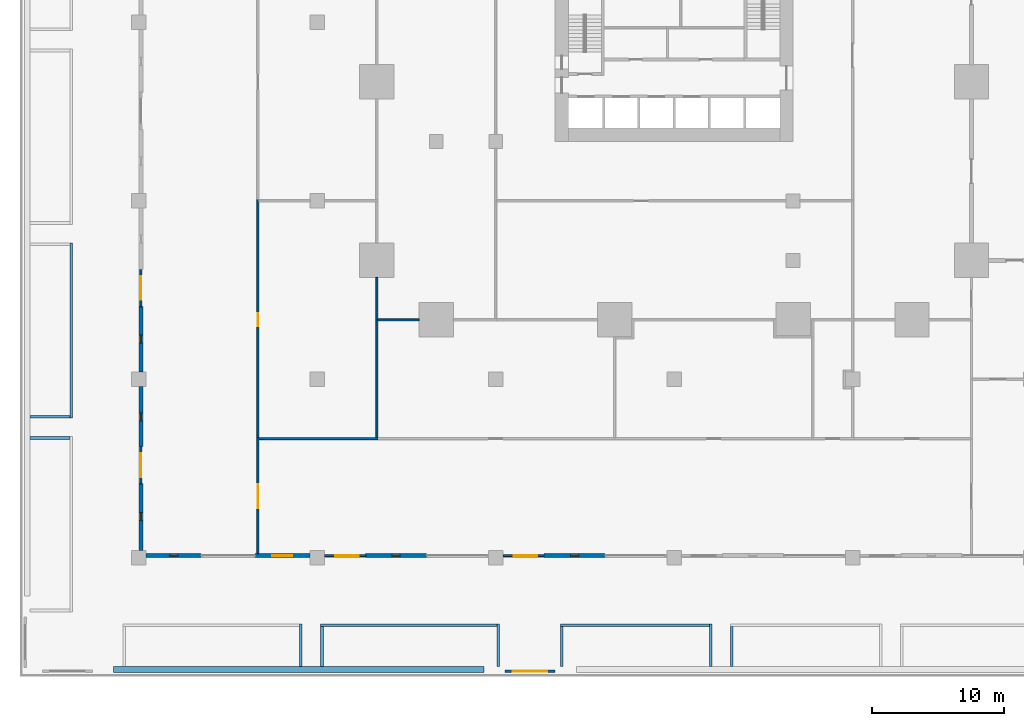
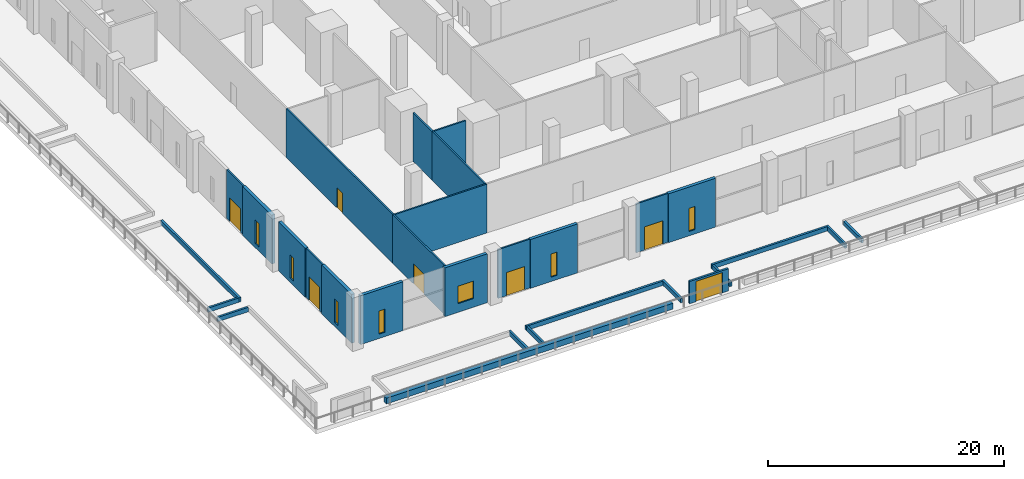
# One storey, part 20 of 47: 30 walls, 7 doors, 7 windows, 14 openings.
"""IFC4 building model written with IfcOpenShell, lengths in metres."""

from ifc_helpers import new_model, si_unit, direction, frame, frame_2d, origin, place, context, subcontext, project, spatial, rectangle, extrude, material, layer, layer_set, type_object, element, fill, save


model = new_model("IFC4")

# Units and contexts
model_context = context("Model", 3, precision=1e-05, world=origin(), true_north=direction((0.0, 1.0)))
body_context = subcontext(model_context, "Body", "Model", "MODEL_VIEW")
ifc_project = project(units=[si_unit("LENGTHUNIT", "METRE"), si_unit("AREAUNIT", "SQUARE_METRE"), si_unit("VOLUMEUNIT", "CUBIC_METRE"), si_unit("PLANEANGLEUNIT", "RADIAN"), si_unit("MASSUNIT", "GRAM", prefix="KILO")], contexts=[model_context])

# Site, building, storey
site_placement = place(None, origin())
site = spatial("IfcSite", under=ifc_project, at=site_placement, CompositionType="ELEMENT")
building_placement = place(site_placement, origin())
building = spatial("IfcBuilding", under=site, at=building_placement, Name="Altepetl Exchange Towers", CompositionType="ELEMENT")
storey_placement = place(building_placement, frame((0.0, 0.0, 6.0)))
storey = spatial("IfcBuildingStorey", under=building, at=storey_placement, Name="L01 Retail podium", CompositionType="ELEMENT", Elevation=6.0)

# Wall, opening, door
ifc_material_1 = material(Name="Reinforced concrete C35/45", Category="concrete")
ifc_layer_1 = layer(ifc_material_1, 0.199951171875)
ifc_layer_set_1 = layer_set([ifc_layer_1], Name="Reinforced concrete C35/45")
wall_type_1 = type_object("IfcWallType", Name="Garden gate screen wall 200", PredefinedType="SOLIDWALL", material=ifc_layer_set_1)
wall_1_placement = place(storey_placement, frame((36.699951171875, 0.39990234375, 0.0)))
wall_1 = element("IfcWall", 1, at=wall_1_placement, inside=storey, type_object=wall_type_1, Name="wall:P:L01:gateG2", PredefinedType="SOLIDWALL", context=body_context, shape_type="SweptSolid", body=[
    extrude(rectangle(XDim=3.800048828125, YDim=0.199951171875, at=frame_2d((1.89990234375, 0.0))), origin(), (0.0, 0.0, 1.0), 2.300048828125),
])
opening_1_placement = place(wall_1_placement, frame((0.60009765625, 0.0, 0.0)))
opening_1 = element("IfcOpeningElement", 2, at=opening_1_placement, cuts=wall_1, Name="Opening L01.P057", PredefinedType="OPENING", context=body_context, shape_type="SweptSolid", body=[
    extrude(rectangle(XDim=2.60009765625, YDim=2.10009765625, at=frame_2d((1.300048828125, 1.050048828125))), frame((0.0, 0.10986328125, 0.0), z_axis=(0.0, -1.0, 0.0), x_axis=(1.0, 0.0, 0.0)), (0.0, 0.0, 1.0), 0.219970703125),
])
ifc_material_2 = material(Name="Painted steel bars and timber", Category="steel")
door_type_1 = type_object("IfcDoorType", Name="Garden gate 2600 x 2100 double leaf", OperationType="DOUBLE_DOOR_SINGLE_SWING", PredefinedType="GATE", material=ifc_material_2)
door_1_placement = place(opening_1_placement, frame((2.60009765625, 0.0, 0.0), x_axis=(-1.0, 0.0, 0.0)))
door_1 = element("IfcDoor", 3, at=door_1_placement, inside=storey, type_object=door_type_1, Name="door:P:L01:057", OperationType="DOUBLE_DOOR_SINGLE_SWING", OverallHeight=2.10009765625, OverallWidth=2.60009765625, PredefinedType="GATE", context=body_context, shape_type="SweptSolid", body=[
    extrude(rectangle(XDim=2.60009765625, YDim=2.10009765625, at=frame_2d((1.300048828125, 1.050048828125))), frame((0.0, 0.02490234375, 0.0), z_axis=(0.0, -1.0, 0.0), x_axis=(1.0, 0.0, 0.0)), (0.0, 0.0, 1.0), 0.050048828125),
])
fill(opening_1, door_1)

ifc_material_3 = material(Name="Aluminium composite cladding", Category="aluminium")
ifc_layer_2 = layer(ifc_material_3, 0.14990234375)
ifc_layer_set_2 = layer_set([ifc_layer_2], Name="Aluminium composite cladding")
wall_type_2 = type_object("IfcWallType", Name="Infill wall 150 aluminium panel", PredefinedType="SOLIDWALL", material=ifc_layer_set_2)
wall_2_placement = place(storey_placement, frame((23.050048828125, 9.14990234375, 0.0)))
wall_2 = element("IfcWall", 4, at=wall_2_placement, inside=storey, type_object=wall_type_2, Name="Door bay wall", PredefinedType="SOLIDWALL", context=body_context, shape_type="SweptSolid", body=[
    extrude(rectangle(XDim=3.099853515625, YDim=0.14990234375, at=frame_2d((1.5498046875, 0.0))), origin(), (0.0, 0.0, 1.0), 5.050048828125),
])
opening_2_placement = place(wall_2_placement, frame((0.800048828125, 0.0, 0.0)))
opening_2 = element("IfcOpeningElement", 5, at=opening_2_placement, cuts=wall_2, Name="Opening L01.E11", PredefinedType="OPENING", context=body_context, shape_type="SweptSolid", body=[
    extrude(rectangle(XDim=1.800048828125, YDim=2.39990234375, at=frame_2d((0.89990234375, 1.199951171875))), frame((0.0, 0.0849609375, 0.0), z_axis=(0.0, -1.0, 0.0), x_axis=(1.0, 0.0, 0.0)), (0.0, 0.0, 1.0), 0.169921875),
])
ifc_material_4 = material(Name="Aluminium 6063-T6 and glass", Category="aluminium")
door_type_2 = type_object("IfcDoorType", Name="Glazed door pair 1800x2400", OperationType="DOUBLE_DOOR_DOUBLE_SWING", PredefinedType="NOTDEFINED", material=ifc_material_4)
door_2_placement = place(opening_2_placement, frame((1.800048828125, 0.0, 0.0), x_axis=(-1.0, 0.0, 0.0)))
door_2 = element("IfcDoor", 6, at=door_2_placement, inside=storey, type_object=door_type_2, Name="Terrace door", OperationType="DOUBLE_DOOR_DOUBLE_SWING", OverallHeight=2.39990234375, OverallWidth=1.800048828125, PredefinedType="NOTDEFINED", context=body_context, shape_type="SweptSolid", body=[
    extrude(rectangle(XDim=1.800048828125, YDim=2.39990234375, at=frame_2d((0.89990234375, 1.199951171875))), frame((0.0, 0.02490234375, 0.0), z_axis=(0.0, -1.0, 0.0), x_axis=(1.0, 0.0, 0.0)), (0.0, 0.0, 1.0), 0.050048828125),
])
fill(opening_2, door_2)

wall_3_placement = place(storey_placement, frame((36.550048828125, 9.14990234375, 0.0)))
wall_3 = element("IfcWall", 7, at=wall_3_placement, inside=storey, type_object=wall_type_2, Name="Door bay wall", PredefinedType="SOLIDWALL", context=body_context, shape_type="SweptSolid", body=[
    extrude(rectangle(XDim=3.099853515625, YDim=0.14990234375, at=frame_2d((1.5498046875, 0.0))), origin(), (0.0, 0.0, 1.0), 5.050048828125),
])
opening_3_placement = place(wall_3_placement, frame((0.800048828125, 0.0, 0.0)))
opening_3 = element("IfcOpeningElement", 8, at=opening_3_placement, cuts=wall_3, Name="Opening L01.E12", PredefinedType="OPENING", context=body_context, shape_type="SweptSolid", body=[
    extrude(rectangle(XDim=1.800048828125, YDim=2.39990234375, at=frame_2d((0.89990234375, 1.199951171875))), frame((0.0, 0.0849609375, 0.0), z_axis=(0.0, -1.0, 0.0), x_axis=(1.0, 0.0, 0.0)), (0.0, 0.0, 1.0), 0.169921875),
])
door_3_placement = place(opening_3_placement, frame((1.800048828125, 0.0, 0.0), x_axis=(-1.0, 0.0, 0.0)))
door_3 = element("IfcDoor", 9, at=door_3_placement, inside=storey, type_object=door_type_2, Name="Terrace door", OperationType="DOUBLE_DOOR_DOUBLE_SWING", OverallHeight=2.39990234375, OverallWidth=1.800048828125, PredefinedType="NOTDEFINED", context=body_context, shape_type="SweptSolid", body=[
    extrude(rectangle(XDim=1.800048828125, YDim=2.39990234375, at=frame_2d((0.89990234375, 1.199951171875))), frame((0.0, 0.02490234375, 0.0), z_axis=(0.0, -1.0, 0.0), x_axis=(1.0, 0.0, 0.0)), (0.0, 0.0, 1.0), 0.050048828125),
])
fill(opening_3, door_3)

wall_4_placement = place(storey_placement, frame((9.14990234375, 30.800048828125, 0.0), z_axis=(0.0, 0.0, 1.0), x_axis=(0.0, -1.0, 0.0)))
wall_4 = element("IfcWall", 10, at=wall_4_placement, inside=storey, type_object=wall_type_2, Name="Door bay wall", PredefinedType="SOLIDWALL", context=body_context, shape_type="SweptSolid", body=[
    extrude(rectangle(XDim=2.800048828125, YDim=0.14990234375, at=frame_2d((1.39990234375, 0.0))), origin(), (0.0, 0.0, 1.0), 5.050048828125),
])
opening_4_placement = place(wall_4_placement, frame((0.5, 0.0, 0.0)))
opening_4 = element("IfcOpeningElement", 11, at=opening_4_placement, cuts=wall_4, Name="Opening L01.E06", PredefinedType="OPENING", context=body_context, shape_type="SweptSolid", body=[
    extrude(rectangle(XDim=1.800048828125, YDim=2.39990234375, at=frame_2d((0.89990234375, 1.199951171875))), frame((0.0, 0.0849609375, 0.0), z_axis=(0.0, -1.0, 0.0), x_axis=(1.0, 0.0, 0.0)), (0.0, 0.0, 1.0), 0.169921875),
])
door_4_placement = place(opening_4_placement, frame((1.800048828125, 0.0, 0.0), x_axis=(-1.0, 0.0, 0.0)))
door_4 = element("IfcDoor", 12, at=door_4_placement, inside=storey, type_object=door_type_2, Name="Terrace door", OperationType="DOUBLE_DOOR_DOUBLE_SWING", OverallHeight=2.39990234375, OverallWidth=1.800048828125, PredefinedType="NOTDEFINED", context=body_context, shape_type="SweptSolid", body=[
    extrude(rectangle(XDim=1.800048828125, YDim=2.39990234375, at=frame_2d((0.89990234375, 1.199951171875))), frame((0.0, 0.02490234375, 0.0), z_axis=(0.0, -1.0, 0.0), x_axis=(1.0, 0.0, 0.0)), (0.0, 0.0, 1.0), 0.050048828125),
])
fill(opening_4, door_4)

wall_5_placement = place(storey_placement, frame((9.14990234375, 17.39990234375, 0.0), z_axis=(0.0, 0.0, 1.0), x_axis=(0.0, -1.0, 0.0)))
wall_5 = element("IfcWall", 13, at=wall_5_placement, inside=storey, type_object=wall_type_2, Name="Door bay wall", PredefinedType="SOLIDWALL", context=body_context, shape_type="SweptSolid", body=[
    extrude(rectangle(XDim=2.7998046875, YDim=0.14990234375, at=frame_2d((1.39990234375, 0.0))), origin(), (0.0, 0.0, 1.0), 5.050048828125),
])
opening_5_placement = place(wall_5_placement, frame((0.5, 0.0, 0.0)))
opening_5 = element("IfcOpeningElement", 14, at=opening_5_placement, cuts=wall_5, Name="Opening L01.E05", PredefinedType="OPENING", context=body_context, shape_type="SweptSolid", body=[
    extrude(rectangle(XDim=1.800048828125, YDim=2.39990234375, at=frame_2d((0.89990234375, 1.199951171875))), frame((0.0, 0.0849609375, 0.0), z_axis=(0.0, -1.0, 0.0), x_axis=(1.0, 0.0, 0.0)), (0.0, 0.0, 1.0), 0.169921875),
])
door_5_placement = place(opening_5_placement, frame((1.800048828125, 0.0, 0.0), x_axis=(-1.0, 0.0, 0.0)))
door_5 = element("IfcDoor", 15, at=door_5_placement, inside=storey, type_object=door_type_2, Name="Terrace door", OperationType="DOUBLE_DOOR_DOUBLE_SWING", OverallHeight=2.39990234375, OverallWidth=1.800048828125, PredefinedType="NOTDEFINED", context=body_context, shape_type="SweptSolid", body=[
    extrude(rectangle(XDim=1.800048828125, YDim=2.39990234375, at=frame_2d((0.89990234375, 1.199951171875))), frame((0.0, 0.02490234375, 0.0), z_axis=(0.0, -1.0, 0.0), x_axis=(1.0, 0.0, 0.0)), (0.0, 0.0, 1.0), 0.050048828125),
])
fill(opening_5, door_5)

# Walls
ifc_material_5 = material(Name="Concrete C30/37", Category="concrete")
ifc_layer_3 = layer(ifc_material_5, 0.449951171875)
ifc_layer_set_3 = layer_set([ifc_layer_3], Name="Concrete C30/37")
wall_type_3 = type_object("IfcWallType", Name="Planter wall 450 concrete", PredefinedType="SOLIDWALL", material=ifc_layer_set_3)
wall_6_placement = place(storey_placement, frame((7.092529296875, 0.550048828125, 0.0)))
element("IfcWall", 16, at=wall_6_placement, inside=storey, type_object=wall_type_3, Name="Planter bed wall", PredefinedType="SOLIDWALL", context=body_context, shape_type="SweptSolid", body=[
    extrude(rectangle(XDim=28.014892578125, YDim=0.449951171875, at=frame_2d((14.00732421875, 0.0))), origin(), (0.0, 0.0, 1.0), 0.60009765625),
])
ifc_layer_4 = layer(ifc_material_1, 0.199951171875)
ifc_layer_set_4 = layer_set([ifc_layer_4], Name="Reinforced concrete C35/45")
wall_type_4 = type_object("IfcWallType", Name="Planting bed curb 200", PredefinedType="SOLIDWALL", material=ifc_layer_set_4)
wall_7_placement = place(storey_placement, frame((52.260009765625, 0.77490234375, 0.0), z_axis=(0.0, 0.0, 1.0), x_axis=(0.0, 1.0, 0.0)))
element("IfcWall", 17, at=wall_7_placement, inside=storey, type_object=wall_type_4, Name="wall:P:L01:CB04e", PredefinedType="SOLIDWALL", context=body_context, shape_type="SweptSolid", body=[
    extrude(rectangle(XDim=3.2001953125, YDim=0.199951171875, at=frame_2d((1.60009765625, 0.0))), origin(), (0.0, 0.0, 1.0), 0.449951171875),
])
wall_8_placement = place(storey_placement, frame((40.89990234375, 3.875, 0.0)))
element("IfcWall", 18, at=wall_8_placement, inside=storey, type_object=wall_type_4, Name="wall:P:L01:CB04n", PredefinedType="SOLIDWALL", context=body_context, shape_type="SweptSolid", body=[
    extrude(rectangle(XDim=11.260009765625, YDim=0.199951171875, at=frame_2d((5.6298828125, 0.0))), origin(), (0.0, 0.0, 1.0), 0.449951171875),
])
for number, where, z_axis, x_axis, name in (
    (19, (41.0, 0.77490234375, 0.0), (0.0, 0.0, 1.0), (0.0, 1.0, 0.0), "wall:P:L01:CB04w"),
    (20, (53.860107421875, 0.77490234375, 0.0), (0.0, 0.0, 1.0), (0.0, 1.0, 0.0), "wall:P:L01:CB05w"),
):
    element("IfcWall", number, at=place(storey_placement, frame(where, z_axis=z_axis, x_axis=x_axis)), inside=storey, type_object=wall_type_4, Name=name, PredefinedType="SOLIDWALL", context=body_context, shape_type="SweptSolid", body=[
        extrude(rectangle(XDim=3.0, YDim=0.199951171875, at=frame_2d((1.5, 0.0))), origin(), (0.0, 0.0, 1.0), 0.449951171875),
    ])
for number, where, z_axis, x_axis, name in (
    (21, (21.25, 0.77490234375, 0.0), (0.0, 0.0, 1.0), (0.0, 1.0, 0.0), "wall:P:L01:CB09e"),
    (22, (36.199951171875, 0.77490234375, 0.0), (0.0, 0.0, 1.0), (0.0, 1.0, 0.0), "wall:P:L01:CB10e"),
):
    element("IfcWall", number, at=place(storey_placement, frame(where, z_axis=z_axis, x_axis=x_axis)), inside=storey, type_object=wall_type_4, Name=name, PredefinedType="SOLIDWALL", context=body_context, shape_type="SweptSolid", body=[
        extrude(rectangle(XDim=3.2001953125, YDim=0.199951171875, at=frame_2d((1.60009765625, 0.0))), origin(), (0.0, 0.0, 1.0), 0.449951171875),
    ])
wall_9_placement = place(storey_placement, frame((22.75, 3.875, 0.0)))
element("IfcWall", 23, at=wall_9_placement, inside=storey, type_object=wall_type_4, Name="wall:P:L01:CB10n", PredefinedType="SOLIDWALL", context=body_context, shape_type="SweptSolid", body=[
    extrude(rectangle(XDim=13.35009765625, YDim=0.199951171875, at=frame_2d((6.675048828125, 0.0))), origin(), (0.0, 0.0, 1.0), 0.449951171875),
])
wall_10_placement = place(storey_placement, frame((22.85009765625, 0.77490234375, 0.0), z_axis=(0.0, 0.0, 1.0), x_axis=(0.0, 1.0, 0.0)))
element("IfcWall", 24, at=wall_10_placement, inside=storey, type_object=wall_type_4, Name="wall:P:L01:CB10w", PredefinedType="SOLIDWALL", context=body_context, shape_type="SweptSolid", body=[
    extrude(rectangle(XDim=3.0, YDim=0.199951171875, at=frame_2d((1.5, 0.0))), origin(), (0.0, 0.0, 1.0), 0.449951171875),
])
wall_11_placement = place(storey_placement, frame((0.77490234375, 18.06005859375, 0.0)))
element("IfcWall", 25, at=wall_11_placement, inside=storey, type_object=wall_type_4, Name="wall:P:L01:CB22n", PredefinedType="SOLIDWALL", context=body_context, shape_type="SweptSolid", body=[
    extrude(rectangle(XDim=3.0, YDim=0.199951171875, at=frame_2d((1.5, 0.0))), origin(), (0.0, 0.0, 1.0), 0.449951171875),
])
wall_12_placement = place(storey_placement, frame((3.875, 19.56005859375, 0.0), z_axis=(0.0, 0.0, 1.0), x_axis=(0.0, 1.0, 0.0)))
element("IfcWall", 26, at=wall_12_placement, inside=storey, type_object=wall_type_4, Name="wall:P:L01:CB23e", PredefinedType="SOLIDWALL", context=body_context, shape_type="SweptSolid", body=[
    extrude(rectangle(XDim=13.260009765625, YDim=0.199951171875, at=frame_2d((6.6298828125, 0.0))), origin(), (0.0, 0.0, 1.0), 0.449951171875),
])
wall_13_placement = place(storey_placement, frame((0.77490234375, 19.659912109375, 0.0)))
element("IfcWall", 27, at=wall_13_placement, inside=storey, type_object=wall_type_4, Name="wall:P:L01:CB23s", PredefinedType="SOLIDWALL", context=body_context, shape_type="SweptSolid", body=[
    extrude(rectangle(XDim=3.0, YDim=0.199951171875, at=frame_2d((1.5, 0.0))), origin(), (0.0, 0.0, 1.0), 0.449951171875),
])

# Wall, opening, door
ifc_material_6 = material(Name="Gypsum board on steel studs", Category="steel")
ifc_layer_5 = layer(ifc_material_6, 0.14990234375)
ifc_layer_set_5 = layer_set([ifc_layer_5], Name="Gypsum board on steel studs")
wall_type_5 = type_object("IfcWallType", Name="Podium partition 150", PredefinedType="PARTITIONING", material=ifc_layer_set_5)
wall_14_placement = place(storey_placement, frame((18.0, 9.300048828125, 0.0), z_axis=(0.0, 0.0, 1.0), x_axis=(0.0, 1.0, 0.0)))
wall_14 = element("IfcWall", 28, at=wall_14_placement, inside=storey, type_object=wall_type_5, Name="wall:P:L01:P035", PredefinedType="PARTITIONING", context=body_context, shape_type="SweptSolid", body=[
    extrude(rectangle(XDim=8.77490234375, YDim=0.14990234375, at=frame_2d((4.387451171875, 0.0))), origin(), (0.0, 0.0, 1.0), 5.050048828125),
])
opening_6_placement = place(wall_14_placement, frame((3.449951171875, 0.0, 0.0)))
opening_6 = element("IfcOpeningElement", 29, at=opening_6_placement, cuts=wall_14, Name="Opening L01.P046", PredefinedType="OPENING", context=body_context, shape_type="SweptSolid", body=[
    extrude(rectangle(XDim=1.800048828125, YDim=2.10009765625, at=frame_2d((0.89990234375, 1.050048828125))), frame((0.0, 0.0849609375, 0.0), z_axis=(0.0, -1.0, 0.0), x_axis=(1.0, 0.0, 0.0)), (0.0, 0.0, 1.0), 0.169921875),
])
ifc_material_7 = material(Name="Glazed aluminium and steel", Category="steel")
door_type_3 = type_object("IfcDoorType", Name="Podium fire door 1800 x 2100 double leaf", OperationType="DOUBLE_DOOR_SINGLE_SWING", PredefinedType="DOOR", material=ifc_material_7)
door_6_placement = place(opening_6_placement, frame((1.800048828125, 0.0, 0.0), x_axis=(-1.0, 0.0, 0.0)))
door_6 = element("IfcDoor", 30, at=door_6_placement, inside=storey, type_object=door_type_3, Name="door:P:L01:046", OperationType="DOUBLE_DOOR_SINGLE_SWING", OverallHeight=2.10009765625, OverallWidth=1.800048828125, PredefinedType="DOOR", context=body_context, shape_type="SweptSolid", body=[
    extrude(rectangle(XDim=1.800048828125, YDim=2.10009765625, at=frame_2d((0.89990234375, 1.050048828125))), frame((0.0, 0.02490234375, 0.0), z_axis=(0.0, -1.0, 0.0), x_axis=(1.0, 0.0, 0.0)), (0.0, 0.0, 1.0), 0.050048828125),
])
fill(opening_6, door_6)

wall_15_placement = place(storey_placement, frame((18.0, 18.0, 0.0), z_axis=(0.0, 0.0, 1.0), x_axis=(0.0, 1.0, 0.0)))
wall_15 = element("IfcWall", 31, at=wall_15_placement, inside=storey, type_object=wall_type_5, Name="wall:P:L01:P037", PredefinedType="PARTITIONING", context=body_context, shape_type="SweptSolid", body=[
    extrude(rectangle(XDim=18.074951171875, YDim=0.14990234375, at=frame_2d((9.03759765625, 0.0))), origin(), (0.0, 0.0, 1.0), 5.050048828125),
])
opening_7_placement = place(wall_15_placement, frame((8.5, 0.0, 0.0)))
opening_7 = element("IfcOpeningElement", 32, at=opening_7_placement, cuts=wall_15, Name="Opening L01.P001", PredefinedType="OPENING", context=body_context, shape_type="SweptSolid", body=[
    extrude(rectangle(XDim=1.0, YDim=2.10009765625, at=frame_2d((0.5, 1.050048828125))), frame((0.0, 0.0849609375, 0.0), z_axis=(0.0, -1.0, 0.0), x_axis=(1.0, 0.0, 0.0)), (0.0, 0.0, 1.0), 0.169921875),
])
ifc_material_8 = material(Name="Steel and timber fire door", Category="steel")
door_type_4 = type_object("IfcDoorType", Name="Podium fire door 1000 x 2100 single leaf", OperationType="SINGLE_SWING_LEFT", PredefinedType="DOOR", material=ifc_material_8)
door_7_placement = place(opening_7_placement, frame((1.0, 0.0, 0.0), x_axis=(-1.0, 0.0, 0.0)))
door_7 = element("IfcDoor", 33, at=door_7_placement, inside=storey, type_object=door_type_4, Name="door:P:L01:001", OperationType="SINGLE_SWING_LEFT", OverallHeight=2.10009765625, OverallWidth=1.0, PredefinedType="DOOR", context=body_context, shape_type="SweptSolid", body=[
    extrude(rectangle(XDim=1.0, YDim=2.10009765625, at=frame_2d((0.5, 1.050048828125))), frame((0.0, 0.02490234375, 0.0), z_axis=(0.0, -1.0, 0.0), x_axis=(1.0, 0.0, 0.0)), (0.0, 0.0, 1.0), 0.050048828125),
])
fill(opening_7, door_7)

# Walls
wall_16_placement = place(storey_placement, frame((18.074951171875, 18.0, 0.0)))
element("IfcWall", 34, at=wall_16_placement, inside=storey, type_object=wall_type_5, Name="wall:P:L01:P045", PredefinedType="PARTITIONING", context=body_context, shape_type="SweptSolid", body=[
    extrude(rectangle(XDim=9.0, YDim=0.14990234375, at=frame_2d((4.5, 0.0))), origin(), (0.0, 0.0, 1.0), 5.050048828125),
])
wall_17_placement = place(storey_placement, frame((27.0, 18.074951171875, 0.0), z_axis=(0.0, 0.0, 1.0), x_axis=(0.0, 1.0, 0.0)))
element("IfcWall", 35, at=wall_17_placement, inside=storey, type_object=wall_type_5, Name="wall:P:L01:P069", PredefinedType="PARTITIONING", context=body_context, shape_type="SweptSolid", body=[
    extrude(rectangle(XDim=9.0, YDim=0.14990234375, at=frame_2d((4.5, 0.0))), origin(), (0.0, 0.0, 1.0), 5.050048828125),
])
wall_18_placement = place(storey_placement, frame((27.0, 27.0, 0.0), z_axis=(0.0, 0.0, 1.0), x_axis=(0.0, 1.0, 0.0)))
element("IfcWall", 36, at=wall_18_placement, inside=storey, type_object=wall_type_5, Name="wall:P:L01:P070", PredefinedType="PARTITIONING", context=body_context, shape_type="SweptSolid", body=[
    extrude(rectangle(XDim=3.205078125, YDim=0.14990234375, at=frame_2d((1.6025390625, 0.0))), origin(), (0.0, 0.0, 1.0), 5.050048828125),
])
wall_19_placement = place(storey_placement, frame((27.074951171875, 27.0, 0.0)))
element("IfcWall", 37, at=wall_19_placement, inside=storey, type_object=wall_type_5, Name="wall:P:L01:P081", PredefinedType="PARTITIONING", context=body_context, shape_type="SweptSolid", body=[
    extrude(rectangle(XDim=3.130126953125, YDim=0.14990234375, at=frame_2d((1.56494140625, 0.0))), origin(), (0.0, 0.0, 1.0), 5.050048828125),
])

# Wall, opening, window
ifc_material_9 = material(Name="Cantera limestone cladding", Category="masonry")
ifc_layer_6 = layer(ifc_material_9, 0.300048828125)
ifc_layer_set_6 = layer_set([ifc_layer_6], Name="Cantera limestone cladding")
wall_type_6 = type_object("IfcWallType", Name="Stone wall panel 300", PredefinedType="ELEMENTEDWALL", material=ifc_layer_set_6)
wall_20_placement = place(storey_placement, frame((9.550048828125, 9.14990234375, 0.0)))
wall_20 = element("IfcWall", 38, at=wall_20_placement, inside=storey, type_object=wall_type_6, Name="Stone wall panel", PredefinedType="ELEMENTEDWALL", context=body_context, shape_type="SweptSolid", body=[
    extrude(rectangle(XDim=4.14990234375, YDim=0.300048828125, at=frame_2d((2.074951171875, 0.0))), origin(), (0.0, 0.0, 1.0), 5.050048828125),
])
opening_8_placement = place(wall_20_placement, frame((1.800048828125, 0.0, 0.449951171875)))
opening_8 = element("IfcOpeningElement", 39, at=opening_8_placement, cuts=wall_20, Name="Opening W3", PredefinedType="OPENING", context=body_context, shape_type="SweptSolid", body=[
    extrude(rectangle(XDim=0.60009765625, YDim=2.39990234375, at=frame_2d((0.300048828125, 1.199951171875))), frame((0.0, 0.16015625, 0.0), z_axis=(0.0, -1.0, 0.0), x_axis=(1.0, 0.0, 0.0)), (0.0, 0.0, 1.0), 0.320068359375),
])
window_type_1 = type_object("IfcWindowType", Name="Tall slot window 600x2400", PartitioningType="SINGLE_PANEL", PredefinedType="WINDOW", material=ifc_material_4)
window_1_placement = place(opening_8_placement, origin())
window_1 = element("IfcWindow", 40, at=window_1_placement, inside=storey, type_object=window_type_1, Name="Window", OverallHeight=2.39990234375, OverallWidth=0.60009765625, PartitioningType="SINGLE_PANEL", PredefinedType="WINDOW", context=body_context, shape_type="SweptSolid", body=[
    extrude(rectangle(XDim=0.60009765625, YDim=2.39990234375, at=frame_2d((0.300048828125, 1.199951171875))), frame((0.0, 0.030029296875, 0.0), z_axis=(0.0, -1.0, 0.0), x_axis=(1.0, 0.0, 0.0)), (0.0, 0.0, 1.0), 0.06005859375),
])
fill(opening_8, window_1)

wall_21_placement = place(storey_placement, frame((17.800048828125, 9.14990234375, 0.0)))
wall_21 = element("IfcWall", 41, at=wall_21_placement, inside=storey, type_object=wall_type_6, Name="Stone wall panel", PredefinedType="ELEMENTEDWALL", context=body_context, shape_type="SweptSolid", body=[
    extrude(rectangle(XDim=4.14990234375, YDim=0.300048828125, at=frame_2d((2.074951171875, 0.0))), origin(), (0.0, 0.0, 1.0), 5.050048828125),
])
opening_9_placement = place(wall_21_placement, frame((1.300048828125, 0.0, 0.89990234375)))
opening_9 = element("IfcOpeningElement", 42, at=opening_9_placement, cuts=wall_21, Name="Opening W2", PredefinedType="OPENING", context=body_context, shape_type="SweptSolid", body=[
    extrude(rectangle(XDim=1.5, YDim=1.800048828125, at=frame_2d((0.75, 0.89990234375))), frame((0.0, 0.16015625, 0.0), z_axis=(0.0, -1.0, 0.0), x_axis=(1.0, 0.0, 0.0)), (0.0, 0.0, 1.0), 0.320068359375),
])
ifc_material_10 = material(Name="Timber and glass", Category="wood")
window_type_2 = type_object("IfcWindowType", Name="Punched window 1500x1800", PartitioningType="SINGLE_PANEL", PredefinedType="WINDOW", material=ifc_material_10)
window_2_placement = place(opening_9_placement, origin())
window_2 = element("IfcWindow", 43, at=window_2_placement, inside=storey, type_object=window_type_2, Name="Window", OverallHeight=1.800048828125, OverallWidth=1.5, PartitioningType="SINGLE_PANEL", PredefinedType="WINDOW", context=body_context, shape_type="SweptSolid", body=[
    extrude(rectangle(XDim=1.5, YDim=1.800048828125, at=frame_2d((0.75, 0.89990234375))), frame((0.0, 0.030029296875, 0.0), z_axis=(0.0, -1.0, 0.0), x_axis=(1.0, 0.0, 0.0)), (0.0, 0.0, 1.0), 0.06005859375),
])
fill(opening_9, window_2)

wall_22_placement = place(storey_placement, frame((26.14990234375, 9.14990234375, 0.0)))
wall_22 = element("IfcWall", 44, at=wall_22_placement, inside=storey, type_object=wall_type_6, Name="Stone wall panel", PredefinedType="ELEMENTEDWALL", context=body_context, shape_type="SweptSolid", body=[
    extrude(rectangle(XDim=4.625, YDim=0.300048828125, at=frame_2d((2.3125, 0.0))), origin(), (0.0, 0.0, 1.0), 5.050048828125),
])
opening_10_placement = place(wall_22_placement, frame((2.012451171875, 0.0, 0.449951171875)))
opening_10 = element("IfcOpeningElement", 45, at=opening_10_placement, cuts=wall_22, Name="Opening W3", PredefinedType="OPENING", context=body_context, shape_type="SweptSolid", body=[
    extrude(rectangle(XDim=0.60009765625, YDim=2.39990234375, at=frame_2d((0.300048828125, 1.199951171875))), frame((0.0, 0.16015625, 0.0), z_axis=(0.0, -1.0, 0.0), x_axis=(1.0, 0.0, 0.0)), (0.0, 0.0, 1.0), 0.320068359375),
])
window_3_placement = place(opening_10_placement, origin())
window_3 = element("IfcWindow", 46, at=window_3_placement, inside=storey, type_object=window_type_1, Name="Window", OverallHeight=2.39990234375, OverallWidth=0.60009765625, PartitioningType="SINGLE_PANEL", PredefinedType="WINDOW", context=body_context, shape_type="SweptSolid", body=[
    extrude(rectangle(XDim=0.60009765625, YDim=2.39990234375, at=frame_2d((0.300048828125, 1.199951171875))), frame((0.0, 0.030029296875, 0.0), z_axis=(0.0, -1.0, 0.0), x_axis=(1.0, 0.0, 0.0)), (0.0, 0.0, 1.0), 0.06005859375),
])
fill(opening_10, window_3)

wall_23_placement = place(storey_placement, frame((39.64990234375, 9.14990234375, 0.0)))
wall_23 = element("IfcWall", 47, at=wall_23_placement, inside=storey, type_object=wall_type_6, Name="Stone wall panel", PredefinedType="ELEMENTEDWALL", context=body_context, shape_type="SweptSolid", body=[
    extrude(rectangle(XDim=4.625, YDim=0.300048828125, at=frame_2d((2.3125, 0.0))), origin(), (0.0, 0.0, 1.0), 5.050048828125),
])
opening_11_placement = place(wall_23_placement, frame((2.012451171875, 0.0, 0.449951171875)))
opening_11 = element("IfcOpeningElement", 48, at=opening_11_placement, cuts=wall_23, Name="Opening W3", PredefinedType="OPENING", context=body_context, shape_type="SweptSolid", body=[
    extrude(rectangle(XDim=0.60009765625, YDim=2.39990234375, at=frame_2d((0.300048828125, 1.199951171875))), frame((0.0, 0.16015625, 0.0), z_axis=(0.0, -1.0, 0.0), x_axis=(1.0, 0.0, 0.0)), (0.0, 0.0, 1.0), 0.320068359375),
])
window_4_placement = place(opening_11_placement, origin())
window_4 = element("IfcWindow", 49, at=window_4_placement, inside=storey, type_object=window_type_1, Name="Window", OverallHeight=2.39990234375, OverallWidth=0.60009765625, PartitioningType="SINGLE_PANEL", PredefinedType="WINDOW", context=body_context, shape_type="SweptSolid", body=[
    extrude(rectangle(XDim=0.60009765625, YDim=2.39990234375, at=frame_2d((0.300048828125, 1.199951171875))), frame((0.0, 0.030029296875, 0.0), z_axis=(0.0, -1.0, 0.0), x_axis=(1.0, 0.0, 0.0)), (0.0, 0.0, 1.0), 0.06005859375),
])
fill(opening_11, window_4)

wall_24_placement = place(storey_placement, frame((9.14990234375, 28.0, 0.0), z_axis=(0.0, 0.0, 1.0), x_axis=(0.0, -1.0, 0.0)))
wall_24 = element("IfcWall", 50, at=wall_24_placement, inside=storey, type_object=wall_type_6, Name="Stone wall panel", PredefinedType="ELEMENTEDWALL", context=body_context, shape_type="SweptSolid", body=[
    extrude(rectangle(XDim=4.949951171875, YDim=0.300048828125, at=frame_2d((2.47509765625, 0.0))), origin(), (0.0, 0.0, 1.0), 5.050048828125),
])
opening_12_placement = place(wall_24_placement, frame((2.14990234375, 0.0, 0.449951171875)))
opening_12 = element("IfcOpeningElement", 51, at=opening_12_placement, cuts=wall_24, Name="Opening W3", PredefinedType="OPENING", context=body_context, shape_type="SweptSolid", body=[
    extrude(rectangle(XDim=0.60009765625, YDim=2.39990234375, at=frame_2d((0.300048828125, 1.199951171875))), frame((0.0, 0.16015625, 0.0), z_axis=(0.0, -1.0, 0.0), x_axis=(1.0, 0.0, 0.0)), (0.0, 0.0, 1.0), 0.320068359375),
])
window_5_placement = place(opening_12_placement, origin())
window_5 = element("IfcWindow", 52, at=window_5_placement, inside=storey, type_object=window_type_1, Name="Window", OverallHeight=2.39990234375, OverallWidth=0.60009765625, PartitioningType="SINGLE_PANEL", PredefinedType="WINDOW", context=body_context, shape_type="SweptSolid", body=[
    extrude(rectangle(XDim=0.60009765625, YDim=2.39990234375, at=frame_2d((0.300048828125, 1.199951171875))), frame((0.0, 0.030029296875, 0.0), z_axis=(0.0, -1.0, 0.0), x_axis=(1.0, 0.0, 0.0)), (0.0, 0.0, 1.0), 0.06005859375),
])
fill(opening_12, window_5)

wall_25_placement = place(storey_placement, frame((9.14990234375, 21.949951171875, 0.0), z_axis=(0.0, 0.0, 1.0), x_axis=(0.0, -1.0, 0.0)))
wall_25 = element("IfcWall", 53, at=wall_25_placement, inside=storey, type_object=wall_type_6, Name="Stone wall panel", PredefinedType="ELEMENTEDWALL", context=body_context, shape_type="SweptSolid", body=[
    extrude(rectangle(XDim=4.550048828125, YDim=0.300048828125, at=frame_2d((2.27490234375, 0.0))), origin(), (0.0, 0.0, 1.0), 5.050048828125),
])
opening_13_placement = place(wall_25_placement, frame((2.0, 0.0, 0.449951171875)))
opening_13 = element("IfcOpeningElement", 54, at=opening_13_placement, cuts=wall_25, Name="Opening W3", PredefinedType="OPENING", context=body_context, shape_type="SweptSolid", body=[
    extrude(rectangle(XDim=0.60009765625, YDim=2.39990234375, at=frame_2d((0.300048828125, 1.199951171875))), frame((0.0, 0.16015625, 0.0), z_axis=(0.0, -1.0, 0.0), x_axis=(1.0, 0.0, 0.0)), (0.0, 0.0, 1.0), 0.320068359375),
])
window_6_placement = place(opening_13_placement, origin())
window_6 = element("IfcWindow", 55, at=window_6_placement, inside=storey, type_object=window_type_1, Name="Window", OverallHeight=2.39990234375, OverallWidth=0.60009765625, PartitioningType="SINGLE_PANEL", PredefinedType="WINDOW", context=body_context, shape_type="SweptSolid", body=[
    extrude(rectangle(XDim=0.60009765625, YDim=2.39990234375, at=frame_2d((0.300048828125, 1.199951171875))), frame((0.0, 0.030029296875, 0.0), z_axis=(0.0, -1.0, 0.0), x_axis=(1.0, 0.0, 0.0)), (0.0, 0.0, 1.0), 0.06005859375),
])
fill(opening_13, window_6)

wall_26_placement = place(storey_placement, frame((9.14990234375, 14.60009765625, 0.0), z_axis=(0.0, 0.0, 1.0), x_axis=(0.0, -1.0, 0.0)))
wall_26 = element("IfcWall", 56, at=wall_26_placement, inside=storey, type_object=wall_type_6, Name="Stone wall panel", PredefinedType="ELEMENTEDWALL", context=body_context, shape_type="SweptSolid", body=[
    extrude(rectangle(XDim=5.050048828125, YDim=0.300048828125, at=frame_2d((2.52490234375, 0.0))), origin(), (0.0, 0.0, 1.0), 5.050048828125),
])
opening_14_placement = place(wall_26_placement, frame((2.199951171875, 0.0, 0.449951171875)))
opening_14 = element("IfcOpeningElement", 57, at=opening_14_placement, cuts=wall_26, Name="Opening W3", PredefinedType="OPENING", context=body_context, shape_type="SweptSolid", body=[
    extrude(rectangle(XDim=0.60009765625, YDim=2.39990234375, at=frame_2d((0.300048828125, 1.199951171875))), frame((0.0, 0.16015625, 0.0), z_axis=(0.0, -1.0, 0.0), x_axis=(1.0, 0.0, 0.0)), (0.0, 0.0, 1.0), 0.320068359375),
])
window_7_placement = place(opening_14_placement, origin())
window_7 = element("IfcWindow", 58, at=window_7_placement, inside=storey, type_object=window_type_1, Name="Window", OverallHeight=2.39990234375, OverallWidth=0.60009765625, PartitioningType="SINGLE_PANEL", PredefinedType="WINDOW", context=body_context, shape_type="SweptSolid", body=[
    extrude(rectangle(XDim=0.60009765625, YDim=2.39990234375, at=frame_2d((0.300048828125, 1.199951171875))), frame((0.0, 0.030029296875, 0.0), z_axis=(0.0, -1.0, 0.0), x_axis=(1.0, 0.0, 0.0)), (0.0, 0.0, 1.0), 0.06005859375),
])
fill(opening_14, window_7)

save(model, "model.ifc")
